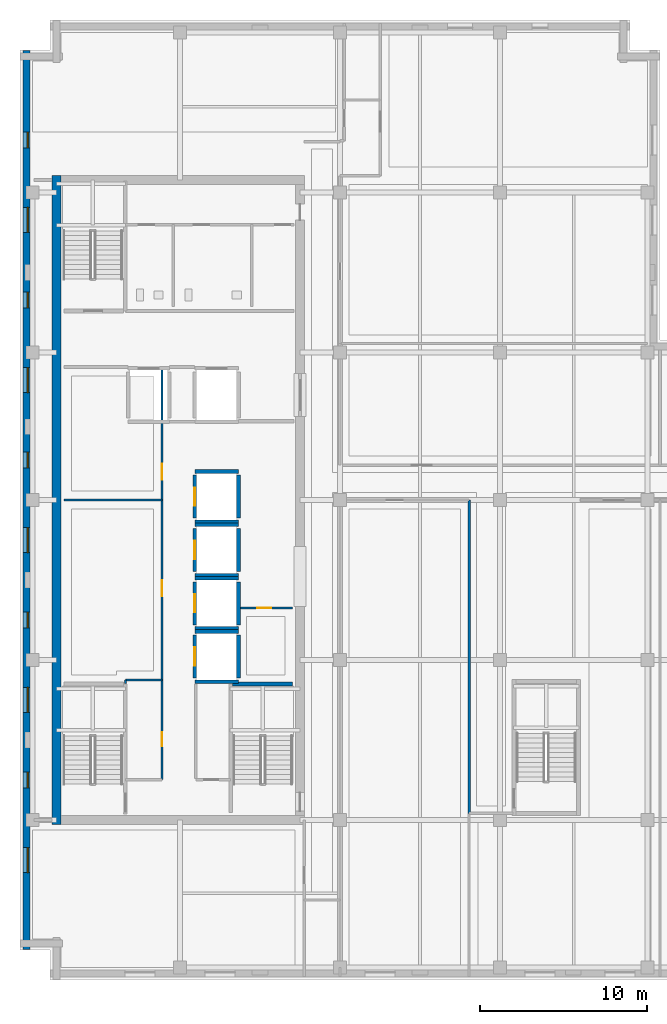
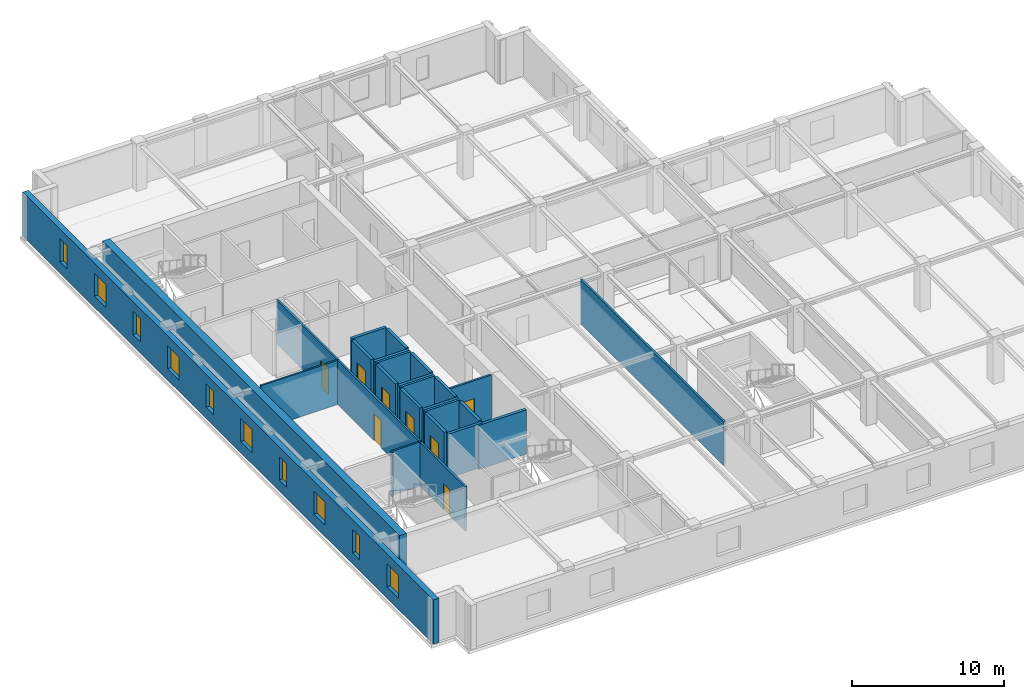
# One storey, part 4 of 12: 25 walls, 10 windows, 8 doors, 18 openings.
"""IFC4 building model written with IfcOpenShell, lengths in metres."""

import ifcopenshell
import ifcopenshell.guid

model = None  # the IFC model being written
_history = None  # IfcOwnerHistory: only IFC2X3 demands one
_inside = {}  # id of a spatial element -> (the spatial element, [elements in it])
_under = {}  # id of a project, library or spatial element -> (it, [spatial elements below it])
_declared = {}  # id of a project -> (the project, [libraries it declares])
_typed = {}  # id of a type object -> (the type object, [elements of that type])
_made_of = {}  # id of a material, layer set ... -> (it, [elements and type objects made of it])


def new_model(schema):
    """Start an empty IFC model of exactly this schema.

    Asked for "IFC4X3", IfcOpenShell would pick the latest addendum, in which some entities
    have other attributes; the version numbers below select the first issue.
    IFC2X3 requires an IfcOwnerHistory on every rooted entity: one is made here for all.
    """
    global model, _history
    if schema == "IFC4X3":
        model = ifcopenshell.file(schema_version=(4, 3, 0, 0))
    else:
        model = ifcopenshell.file(schema=schema)
    _inside.clear()
    _under.clear()
    _declared.clear()
    _typed.clear()
    _made_of.clear()
    _history = None
    if model.schema == "IFC2X3":
        org = make("IfcOrganization", Name="unknown")
        user = make(
            "IfcPersonAndOrganization",
            ThePerson=make("IfcPerson", FamilyName="unknown"),
            TheOrganization=org,
        )
        app = make(
            "IfcApplication",
            ApplicationDeveloper=org,
            Version="unknown",
            ApplicationFullName="unknown",
            ApplicationIdentifier="unknown",
        )
        _history = make(
            "IfcOwnerHistory",
            OwningUser=user,
            OwningApplication=app,
            ChangeAction="ADDED",
            CreationDate=0,
        )
    return model


def make(cls, **values):
    """One entity of the class cls with the attributes given. An attribute that is None is left unset."""
    return model.create_entity(
        cls, **{name: value for name, value in values.items() if value is not None}
    )


def rooted(cls, **values):
    """An entity with a GlobalId (a new one), such as an element, a storey or a relation."""
    return make(cls, GlobalId=ifcopenshell.guid.new(), OwnerHistory=_history, **values)


def si_unit(unit_type, name, prefix=None):
    """IfcSIUnit, for example si_unit("LENGTHUNIT", "METRE", prefix="MILLI")."""
    return make("IfcSIUnit", UnitType=unit_type, Prefix=prefix, Name=name)


def assignment(units):
    """IfcUnitAssignment: the units of a project."""
    return None if units is None else make("IfcUnitAssignment", Units=units)


def point(xyz):
    """IfcCartesianPoint."""
    return None if xyz is None else make("IfcCartesianPoint", Coordinates=xyz)


def direction(xyz):
    """IfcDirection."""
    return None if xyz is None else make("IfcDirection", DirectionRatios=xyz)


def frame(location, z_axis=None, x_axis=None):
    """IfcAxis2Placement3D, a coordinate frame: its origin and axes. An axis left out is left unset."""
    return make(
        "IfcAxis2Placement3D",
        Location=point(location),
        Axis=direction(z_axis),
        RefDirection=direction(x_axis),
    )


def frame_2d(location, x_axis=None):
    """IfcAxis2Placement2D, a coordinate frame in the plane: its origin and x axis."""
    return make(
        "IfcAxis2Placement2D", Location=point(location), RefDirection=direction(x_axis)
    )


def origin():
    """The frame at (0, 0, 0) with its axes left unset."""
    return frame((0.0, 0.0, 0.0))


def place(relative_to, where):
    """IfcLocalPlacement: puts the frame where relative to a parent placement (None: the world)."""
    return make(
        "IfcLocalPlacement", PlacementRelTo=relative_to, RelativePlacement=where
    )


def context(
    kind, dimensions, precision=None, world=None, true_north=None, identifier=None
):
    """IfcGeometricRepresentationContext, for example the 3D "Model" context."""
    return make(
        "IfcGeometricRepresentationContext",
        ContextIdentifier=identifier,
        ContextType=kind,
        CoordinateSpaceDimension=dimensions,
        Precision=precision,
        WorldCoordinateSystem=world,
        TrueNorth=true_north,
    )


def subcontext(parent, identifier, kind, view, scale=None):
    """IfcGeometricRepresentationSubContext, for example "Body" below "Model"."""
    return make(
        "IfcGeometricRepresentationSubContext",
        ContextIdentifier=identifier,
        ContextType=kind,
        ParentContext=parent,
        TargetScale=scale,
        TargetView=view,
    )


def project(units=None, contexts=None):
    """IfcProject with its units and contexts."""
    return rooted(
        "IfcProject",
        Name="project",
        RepresentationContexts=contexts,
        UnitsInContext=assignment(units),
    )


def spatial(cls, under=None, at=None, **own):
    """A site, building, storey or space (cls), placed at a placement, below another one or the project."""
    s = rooted(cls, ObjectPlacement=at, **own)
    if under is not None:
        _under.setdefault(under.id(), (under, []))[1].append(s)
    return s


def profile(cls, at=None, kind="AREA", **sizes):
    """A parametric profile (cls). Its sizes go by their IFC names, for example OverallWidth=200.0."""
    return make(cls, ProfileType=kind, Position=at, **sizes)


def rectangle(**sizes):
    """IfcRectangleProfileDef."""
    return profile("IfcRectangleProfileDef", **sizes)


def extrude(swept, where, along, depth):
    """IfcExtrudedAreaSolid: the profile swept, set in the frame where, extruded along a direction by depth."""
    return make(
        "IfcExtrudedAreaSolid",
        SweptArea=swept,
        Position=where,
        ExtrudedDirection=direction(along),
        Depth=depth,
    )


def shape(context_of_items, identifier, shape_type, items):
    """IfcShapeRepresentation: the items that make up one representation, for example the "Body"."""
    return make(
        "IfcShapeRepresentation",
        ContextOfItems=context_of_items,
        RepresentationIdentifier=identifier,
        RepresentationType=shape_type,
        Items=items,
    )


def material(Name=None, Category=None):
    """IfcMaterial."""
    return make("IfcMaterial", Name=Name, Category=Category)


def layer(
    of_material, thickness, ventilated=None, Name=None, Category=None, Priority=None
):
    """IfcMaterialLayer: one layer of a wall or slab, of a material (None: an air gap)."""
    return make(
        "IfcMaterialLayer",
        Material=of_material,
        LayerThickness=thickness,
        IsVentilated=ventilated,
        Name=Name,
        Category=Category,
        Priority=Priority,
    )


def layer_set(layers, Name=None):
    """IfcMaterialLayerSet."""
    return make("IfcMaterialLayerSet", MaterialLayers=layers, LayerSetName=Name)


def made_of(thing, what):
    """Note that an element or type object is made of a material, layer set ...; save() writes the relation."""
    if what is not None:
        _made_of.setdefault(what.id(), (what, []))[1].append(thing)
    return thing


def type_object(cls, material=None, **own):
    """A type object (cls), such as IfcWallType, which elements share."""
    return made_of(rooted(cls, **own), material)


def element(
    cls,
    number,
    at=None,
    inside=None,
    cuts=None,
    type_object=None,
    material=None,
    context=None,
    identifier="Body",
    shape_type=None,
    held_by="IfcProductDefinitionShape",
    body=None,
    shapes=None,
    **own,
):
    """One element of the class cls, such as IfcWall. Its Tag is "e" and its number.

    at: its placement. inside: the storey or other place that contains it. cuts: it is an
    opening in that element (IfcRelVoidsElement). A single representation is given by context,
    identifier, shape_type and body (its items); several are given by shapes. held_by: the class
    of the entity that holds the representations. save() writes the other relations.
    """
    e = rooted(cls, Tag="e%d" % number, ObjectPlacement=at, **own)
    if body is not None:
        shapes = [shape(context, identifier, shape_type, body)]
    if shapes is not None:
        e.Representation = make(held_by, Representations=shapes)
    if inside is not None:
        _inside.setdefault(inside.id(), (inside, []))[1].append(e)
    if cuts is not None:
        rooted(
            "IfcRelVoidsElement", RelatingBuildingElement=cuts, RelatedOpeningElement=e
        )
    if type_object is not None:
        _typed.setdefault(type_object.id(), (type_object, []))[1].append(e)
    return made_of(e, material)


def fill(opening, filler):
    """IfcRelFillsElement: the door or window that sits in an opening."""
    return rooted(
        "IfcRelFillsElement",
        RelatingOpeningElement=opening,
        RelatedBuildingElement=filler,
    )


def aggregate(whole, parts):
    """IfcRelAggregates: a whole, such as a stair, and the parts it consists of."""
    return rooted("IfcRelAggregates", RelatingObject=whole, RelatedObjects=parts)


def save(model, path):
    """Write the relations noted so far, then the file.

    IfcRelAggregates (storeys below a building ...), IfcRelContainedInSpatialStructure (elements
    in a storey), IfcRelDefinesByType, IfcRelAssociatesMaterial and IfcRelDeclares: one each for
    every whole, place, type object, material and project.
    """
    for whole, parts in _under.values():
        aggregate(whole, parts)
    for where, things in _inside.values():
        rooted(
            "IfcRelContainedInSpatialStructure",
            RelatedElements=things,
            RelatingStructure=where,
        )
    for kind, things in _typed.values():
        rooted("IfcRelDefinesByType", RelatedObjects=things, RelatingType=kind)
    for what, things in _made_of.values():
        rooted("IfcRelAssociatesMaterial", RelatedObjects=things, RelatingMaterial=what)
    for by, libraries in _declared.values():
        rooted("IfcRelDeclares", RelatingContext=by, RelatedDefinitions=libraries)
    model.write(path)


model = new_model("IFC4")

# Units and contexts
model_context = context("Model", 3, precision=1e-05, world=origin(), true_north=direction((0.0, 1.0)))
body_context = subcontext(model_context, "Body", "Model", "MODEL_VIEW")
ifc_project = project(units=[si_unit("LENGTHUNIT", "METRE"), si_unit("AREAUNIT", "SQUARE_METRE"), si_unit("VOLUMEUNIT", "CUBIC_METRE"), si_unit("PLANEANGLEUNIT", "RADIAN"), si_unit("MASSUNIT", "GRAM", prefix="KILO")], contexts=[model_context])

# Site, building, storey
site_placement = place(None, origin())
site = spatial("IfcSite", under=ifc_project, at=site_placement, CompositionType="ELEMENT")
building_placement = place(site_placement, origin())
building = spatial("IfcBuilding", under=site, at=building_placement, Name="Norrvale University Quadrangle", CompositionType="ELEMENT")
storey_placement = place(building_placement, frame((0.0, 0.0, 240.800048828125)))
storey = spatial("IfcBuildingStorey", under=building, at=storey_placement, Name="L61", CompositionType="ELEMENT", Elevation=240.800048828125)

# Wall, openings, windows
ifc_material_1 = material(Name="Buff Norman Clay Brick Masonry", Category="masonry")
ifc_layer_1 = layer(ifc_material_1, 0.419921875, Name="Buff Norman Clay Brick Masonry")
ifc_layer_set_1 = layer_set([ifc_layer_1], Name="Buff Norman Clay Brick Masonry")
wall_type_1 = type_object("IfcWallType", Name="Wall Buff Brick 420", PredefinedType="SOLIDWALL", material=ifc_layer_set_1)
wall_1_placement = place(storey_placement, frame((0.389892578125, 55.760009765625, 0.0), z_axis=(0.0, 0.0, 1.0), x_axis=(0.0, -1.0, 0.0)))
wall_1 = element("IfcWall", 1, at=wall_1_placement, inside=storey, type_object=wall_type_1, Name="Exterior Brick Facade Wall L61-14.1", PredefinedType="SOLIDWALL", context=body_context, shape_type="SweptSolid", body=[
    extrude(rectangle(XDim=53.919921875, YDim=0.419921875, at=frame_2d((26.9599609375, 0.0))), origin(), (0.0, 0.0, 1.0), 3.5400390625),
])
opening_1_placement = place(wall_1_placement, frame((4.885009765625, 0.0, 0.89990234375)))
opening_1 = element("IfcOpeningElement", 2, at=opening_1_placement, cuts=wall_1, Name="Opening W04", PredefinedType="OPENING", context=body_context, shape_type="SweptSolid", body=[
    extrude(rectangle(XDim=0.949951171875, YDim=1.85009765625, at=frame_2d((0.47509765625, 0.925048828125))), frame((0.0, 0.221923828125, 0.0), z_axis=(0.0, -1.0, 0.0), x_axis=(1.0, 0.0, 0.0)), (0.0, 0.0, 1.0), 0.44384765625),
])
opening_2_placement = place(wall_1_placement, frame((9.409912109375, 0.0, 0.89990234375)))
opening_2 = element("IfcOpeningElement", 3, at=opening_2_placement, cuts=wall_1, Name="Opening W03", PredefinedType="OPENING", context=body_context, shape_type="SweptSolid", body=[
    extrude(rectangle(XDim=1.5, YDim=1.85009765625, at=frame_2d((0.75, 0.925048828125))), frame((0.0, 0.221923828125, 0.0), z_axis=(0.0, -1.0, 0.0), x_axis=(1.0, 0.0, 0.0)), (0.0, 0.0, 1.0), 0.44384765625),
])
opening_3_placement = place(wall_1_placement, frame((14.485107421875, 0.0, 0.89990234375)))
opening_3 = element("IfcOpeningElement", 4, at=opening_3_placement, cuts=wall_1, Name="Opening W04", PredefinedType="OPENING", context=body_context, shape_type="SweptSolid", body=[
    extrude(rectangle(XDim=0.949951171875, YDim=1.85009765625, at=frame_2d((0.47509765625, 0.925048828125))), frame((0.0, 0.221923828125, 0.0), z_axis=(0.0, -1.0, 0.0), x_axis=(1.0, 0.0, 0.0)), (0.0, 0.0, 1.0), 0.44384765625),
])
opening_4_placement = place(wall_1_placement, frame((19.010009765625, 0.0, 0.89990234375)))
opening_4 = element("IfcOpeningElement", 5, at=opening_4_placement, cuts=wall_1, Name="Opening W03", PredefinedType="OPENING", context=body_context, shape_type="SweptSolid", body=[
    extrude(rectangle(XDim=1.5, YDim=1.85009765625, at=frame_2d((0.75, 0.925048828125))), frame((0.0, 0.221923828125, 0.0), z_axis=(0.0, -1.0, 0.0), x_axis=(1.0, 0.0, 0.0)), (0.0, 0.0, 1.0), 0.44384765625),
])
opening_5_placement = place(wall_1_placement, frame((24.0849609375, 0.0, 0.89990234375)))
opening_5 = element("IfcOpeningElement", 6, at=opening_5_placement, cuts=wall_1, Name="Opening W04", PredefinedType="OPENING", context=body_context, shape_type="SweptSolid", body=[
    extrude(rectangle(XDim=0.949951171875, YDim=1.85009765625, at=frame_2d((0.47509765625, 0.925048828125))), frame((0.0, 0.221923828125, 0.0), z_axis=(0.0, -1.0, 0.0), x_axis=(1.0, 0.0, 0.0)), (0.0, 0.0, 1.0), 0.44384765625),
])
opening_6_placement = place(wall_1_placement, frame((28.610107421875, 0.0, 0.89990234375)))
opening_6 = element("IfcOpeningElement", 7, at=opening_6_placement, cuts=wall_1, Name="Opening W03", PredefinedType="OPENING", context=body_context, shape_type="SweptSolid", body=[
    extrude(rectangle(XDim=1.5, YDim=1.85009765625, at=frame_2d((0.75, 0.925048828125))), frame((0.0, 0.221923828125, 0.0), z_axis=(0.0, -1.0, 0.0), x_axis=(1.0, 0.0, 0.0)), (0.0, 0.0, 1.0), 0.44384765625),
])
opening_7_placement = place(wall_1_placement, frame((33.68505859375, 0.0, 0.89990234375)))
opening_7 = element("IfcOpeningElement", 8, at=opening_7_placement, cuts=wall_1, Name="Opening W04", PredefinedType="OPENING", context=body_context, shape_type="SweptSolid", body=[
    extrude(rectangle(XDim=0.949951171875, YDim=1.85009765625, at=frame_2d((0.47509765625, 0.925048828125))), frame((0.0, 0.221923828125, 0.0), z_axis=(0.0, -1.0, 0.0), x_axis=(1.0, 0.0, 0.0)), (0.0, 0.0, 1.0), 0.44384765625),
])
opening_8_placement = place(wall_1_placement, frame((38.2099609375, 0.0, 0.89990234375)))
opening_8 = element("IfcOpeningElement", 9, at=opening_8_placement, cuts=wall_1, Name="Opening W03", PredefinedType="OPENING", context=body_context, shape_type="SweptSolid", body=[
    extrude(rectangle(XDim=1.5, YDim=1.85009765625, at=frame_2d((0.75, 0.925048828125))), frame((0.0, 0.221923828125, 0.0), z_axis=(0.0, -1.0, 0.0), x_axis=(1.0, 0.0, 0.0)), (0.0, 0.0, 1.0), 0.44384765625),
])
opening_9_placement = place(wall_1_placement, frame((43.284912109375, 0.0, 0.89990234375)))
opening_9 = element("IfcOpeningElement", 10, at=opening_9_placement, cuts=wall_1, Name="Opening W04", PredefinedType="OPENING", context=body_context, shape_type="SweptSolid", body=[
    extrude(rectangle(XDim=0.949951171875, YDim=1.85009765625, at=frame_2d((0.47509765625, 0.925048828125))), frame((0.0, 0.221923828125, 0.0), z_axis=(0.0, -1.0, 0.0), x_axis=(1.0, 0.0, 0.0)), (0.0, 0.0, 1.0), 0.44384765625),
])
opening_10_placement = place(wall_1_placement, frame((47.81005859375, 0.0, 0.89990234375)))
opening_10 = element("IfcOpeningElement", 11, at=opening_10_placement, cuts=wall_1, Name="Opening W03", PredefinedType="OPENING", context=body_context, shape_type="SweptSolid", body=[
    extrude(rectangle(XDim=1.5, YDim=1.85009765625, at=frame_2d((0.75, 0.925048828125))), frame((0.0, 0.221923828125, 0.0), z_axis=(0.0, -1.0, 0.0), x_axis=(1.0, 0.0, 0.0)), (0.0, 0.0, 1.0), 0.44384765625),
])
ifc_material_2 = material(Name="Triple Low-E Argon Glazing", Category="glass")
window_type_1 = type_object("IfcWindowType", Name="Window Narrow Pier 950x2300", PartitioningType="SINGLE_PANEL", PredefinedType="WINDOW", material=ifc_material_2)
window_1_placement = place(opening_1_placement, origin())
window_1 = element("IfcWindow", 12, at=window_1_placement, inside=storey, type_object=window_type_1, Name="Window Narrow Pier 950x2300 WIN-L61-E14-1-01", OverallHeight=1.85009765625, OverallWidth=0.949951171875, PartitioningType="SINGLE_PANEL", PredefinedType="WINDOW", context=body_context, shape_type="SweptSolid", body=[
    extrude(rectangle(XDim=0.949951171875, YDim=1.85009765625, at=frame_2d((0.47509765625, 0.925048828125))), frame((0.0, 0.110107421875, 0.0), z_axis=(0.0, -1.0, 0.0), x_axis=(1.0, 0.0, 0.0)), (0.0, 0.0, 1.0), 0.06005859375),
])
fill(opening_1, window_1)
window_2_placement = place(opening_3_placement, origin())
window_2 = element("IfcWindow", 13, at=window_2_placement, inside=storey, type_object=window_type_1, Name="Window Narrow Pier 950x2300 WIN-L61-E14-1-03", OverallHeight=1.85009765625, OverallWidth=0.949951171875, PartitioningType="SINGLE_PANEL", PredefinedType="WINDOW", context=body_context, shape_type="SweptSolid", body=[
    extrude(rectangle(XDim=0.949951171875, YDim=1.85009765625, at=frame_2d((0.47509765625, 0.925048828125))), frame((0.0, 0.110107421875, 0.0), z_axis=(0.0, -1.0, 0.0), x_axis=(1.0, 0.0, 0.0)), (0.0, 0.0, 1.0), 0.06005859375),
])
fill(opening_3, window_2)
window_3_placement = place(opening_5_placement, origin())
window_3 = element("IfcWindow", 14, at=window_3_placement, inside=storey, type_object=window_type_1, Name="Window Narrow Pier 950x2300 WIN-L61-E14-1-05", OverallHeight=1.85009765625, OverallWidth=0.949951171875, PartitioningType="SINGLE_PANEL", PredefinedType="WINDOW", context=body_context, shape_type="SweptSolid", body=[
    extrude(rectangle(XDim=0.949951171875, YDim=1.85009765625, at=frame_2d((0.47509765625, 0.925048828125))), frame((0.0, 0.110107421875, 0.0), z_axis=(0.0, -1.0, 0.0), x_axis=(1.0, 0.0, 0.0)), (0.0, 0.0, 1.0), 0.06005859375),
])
fill(opening_5, window_3)
window_4_placement = place(opening_7_placement, origin())
window_4 = element("IfcWindow", 15, at=window_4_placement, inside=storey, type_object=window_type_1, Name="Window Narrow Pier 950x2300 WIN-L61-E14-1-07", OverallHeight=1.85009765625, OverallWidth=0.949951171875, PartitioningType="SINGLE_PANEL", PredefinedType="WINDOW", context=body_context, shape_type="SweptSolid", body=[
    extrude(rectangle(XDim=0.949951171875, YDim=1.85009765625, at=frame_2d((0.47509765625, 0.925048828125))), frame((0.0, 0.110107421875, 0.0), z_axis=(0.0, -1.0, 0.0), x_axis=(1.0, 0.0, 0.0)), (0.0, 0.0, 1.0), 0.06005859375),
])
fill(opening_7, window_4)
window_5_placement = place(opening_9_placement, origin())
window_5 = element("IfcWindow", 16, at=window_5_placement, inside=storey, type_object=window_type_1, Name="Window Narrow Pier 950x2300 WIN-L61-E14-1-09", OverallHeight=1.85009765625, OverallWidth=0.949951171875, PartitioningType="SINGLE_PANEL", PredefinedType="WINDOW", context=body_context, shape_type="SweptSolid", body=[
    extrude(rectangle(XDim=0.949951171875, YDim=1.85009765625, at=frame_2d((0.47509765625, 0.925048828125))), frame((0.0, 0.110107421875, 0.0), z_axis=(0.0, -1.0, 0.0), x_axis=(1.0, 0.0, 0.0)), (0.0, 0.0, 1.0), 0.06005859375),
])
fill(opening_9, window_5)
window_type_2 = type_object("IfcWindowType", Name="Window Studio 1500x2300", PartitioningType="DOUBLE_PANEL_VERTICAL", PredefinedType="WINDOW", material=ifc_material_2)
window_6_placement = place(opening_2_placement, origin())
window_6 = element("IfcWindow", 17, at=window_6_placement, inside=storey, type_object=window_type_2, Name="Window Studio 1500x2300 WIN-L61-E14-1-02", OverallHeight=1.85009765625, OverallWidth=1.5, PartitioningType="DOUBLE_PANEL_VERTICAL", PredefinedType="WINDOW", context=body_context, shape_type="SweptSolid", body=[
    extrude(rectangle(XDim=1.5, YDim=1.85009765625, at=frame_2d((0.75, 0.925048828125))), frame((0.0, 0.110107421875, 0.0), z_axis=(0.0, -1.0, 0.0), x_axis=(1.0, 0.0, 0.0)), (0.0, 0.0, 1.0), 0.06005859375),
])
fill(opening_2, window_6)
window_7_placement = place(opening_4_placement, origin())
window_7 = element("IfcWindow", 18, at=window_7_placement, inside=storey, type_object=window_type_2, Name="Window Studio 1500x2300 WIN-L61-E14-1-04", OverallHeight=1.85009765625, OverallWidth=1.5, PartitioningType="DOUBLE_PANEL_VERTICAL", PredefinedType="WINDOW", context=body_context, shape_type="SweptSolid", body=[
    extrude(rectangle(XDim=1.5, YDim=1.85009765625, at=frame_2d((0.75, 0.925048828125))), frame((0.0, 0.110107421875, 0.0), z_axis=(0.0, -1.0, 0.0), x_axis=(1.0, 0.0, 0.0)), (0.0, 0.0, 1.0), 0.06005859375),
])
fill(opening_4, window_7)
window_8_placement = place(opening_6_placement, origin())
window_8 = element("IfcWindow", 19, at=window_8_placement, inside=storey, type_object=window_type_2, Name="Window Studio 1500x2300 WIN-L61-E14-1-06", OverallHeight=1.85009765625, OverallWidth=1.5, PartitioningType="DOUBLE_PANEL_VERTICAL", PredefinedType="WINDOW", context=body_context, shape_type="SweptSolid", body=[
    extrude(rectangle(XDim=1.5, YDim=1.85009765625, at=frame_2d((0.75, 0.925048828125))), frame((0.0, 0.110107421875, 0.0), z_axis=(0.0, -1.0, 0.0), x_axis=(1.0, 0.0, 0.0)), (0.0, 0.0, 1.0), 0.06005859375),
])
fill(opening_6, window_8)
window_9_placement = place(opening_8_placement, origin())
window_9 = element("IfcWindow", 20, at=window_9_placement, inside=storey, type_object=window_type_2, Name="Window Studio 1500x2300 WIN-L61-E14-1-08", OverallHeight=1.85009765625, OverallWidth=1.5, PartitioningType="DOUBLE_PANEL_VERTICAL", PredefinedType="WINDOW", context=body_context, shape_type="SweptSolid", body=[
    extrude(rectangle(XDim=1.5, YDim=1.85009765625, at=frame_2d((0.75, 0.925048828125))), frame((0.0, 0.110107421875, 0.0), z_axis=(0.0, -1.0, 0.0), x_axis=(1.0, 0.0, 0.0)), (0.0, 0.0, 1.0), 0.06005859375),
])
fill(opening_8, window_9)
window_10_placement = place(opening_10_placement, origin())
window_10 = element("IfcWindow", 21, at=window_10_placement, inside=storey, type_object=window_type_2, Name="Window Studio 1500x2300 WIN-L61-E14-1-10", OverallHeight=1.85009765625, OverallWidth=1.5, PartitioningType="DOUBLE_PANEL_VERTICAL", PredefinedType="WINDOW", context=body_context, shape_type="SweptSolid", body=[
    extrude(rectangle(XDim=1.5, YDim=1.85009765625, at=frame_2d((0.75, 0.925048828125))), frame((0.0, 0.110107421875, 0.0), z_axis=(0.0, -1.0, 0.0), x_axis=(1.0, 0.0, 0.0)), (0.0, 0.0, 1.0), 0.06005859375),
])
fill(opening_10, window_10)

# Walls
ifc_material_3 = material(Name="Concrete C60/75", Category="concrete")
ifc_layer_2 = layer(ifc_material_3, 0.550048828125, Name="Concrete C60/75")
ifc_layer_set_2 = layer_set([ifc_layer_2], Name="Concrete C60/75")
wall_type_2 = type_object("IfcWallType", Name="Wall Core 550", PredefinedType="SHEAR", material=ifc_layer_set_2)
wall_2_placement = place(storey_placement, frame((2.199951171875, 9.324951171875, 0.0), z_axis=(0.0, 0.0, 1.0), x_axis=(0.0, 1.0, 0.0)))
element("IfcWall", 22, at=wall_2_placement, inside=storey, type_object=wall_type_2, Name="Tower Core Shear Wall L61-W", PredefinedType="SHEAR", context=body_context, shape_type="SweptSolid", body=[
    extrude(rectangle(XDim=38.949951171875, YDim=0.550048828125, at=frame_2d((19.47509765625, 0.0))), origin(), (0.0, 0.0, 1.0), 3.5400390625),
])
ifc_material_4 = material(Name="Standard Academic Gypsum Partition")
ifc_layer_3 = layer(ifc_material_4, 0.125, Name="Standard Academic Gypsum Partition")
ifc_layer_set_3 = layer_set([ifc_layer_3], Name="Standard Academic Gypsum Partition")
wall_type_3 = type_object("IfcWallType", Name="Wall Gypsum Academic 125", PredefinedType="PARTITIONING", material=ifc_layer_set_3)
wall_3_placement = place(storey_placement, frame((6.320068359375, 17.800048828125, 0.0), z_axis=(0.0, 0.0, 1.0), x_axis=(0.0, 1.0, 0.0)))
element("IfcWall", 23, at=wall_3_placement, inside=storey, type_object=wall_type_3, Name="Interior Partition WL-L61-REC-L1", PredefinedType="PARTITIONING", context=body_context, shape_type="SweptSolid", body=[
    extrude(rectangle(XDim=0.199951171875, YDim=0.125, at=frame_2d((0.10009765625, 0.0))), origin(), (0.0, 0.0, 1.0), 3.5400390625),
])
wall_4_placement = place(storey_placement, frame((6.320068359375, 18.0, 0.0), z_axis=(0.0, 0.0, 1.0), x_axis=(1.0, 0.0, 0.0)))
element("IfcWall", 24, at=wall_4_placement, inside=storey, type_object=wall_type_3, Name="Interior Partition WL-L61-REC-L2", PredefinedType="PARTITIONING", context=body_context, shape_type="SweptSolid", body=[
    extrude(rectangle(XDim=2.199951171875, YDim=0.125, at=frame_2d((1.10009765625, 0.0))), origin(), (0.0, 0.0, 1.0), 3.5400390625),
])
wall_5_placement = place(storey_placement, frame((2.64990234375, 28.800048828125, 0.0), z_axis=(0.0, 0.0, 1.0), x_axis=(1.0, 0.0, 0.0)))
element("IfcWall", 25, at=wall_5_placement, inside=storey, type_object=wall_type_3, Name="Interior Partition WL-L61-REC-M2", PredefinedType="PARTITIONING", context=body_context, shape_type="SweptSolid", body=[
    extrude(rectangle(XDim=5.8701171875, YDim=0.125, at=frame_2d((2.93505859375, 0.0))), origin(), (0.0, 0.0, 1.0), 3.5400390625),
])

# Wall, opening, door
ifc_material_5 = material(Name="Fire-Rated Gypsum Stud Partition")
ifc_layer_4 = layer(ifc_material_5, 0.14990234375, Name="Fire-Rated Gypsum Stud Partition")
ifc_layer_set_4 = layer_set([ifc_layer_4], Name="Fire-Rated Gypsum Stud Partition")
wall_type_4 = type_object("IfcWallType", Name="Wall Gypsum Corridor 150", PredefinedType="PARTITIONING", material=ifc_layer_set_4)
wall_6_placement = place(storey_placement, frame((13.22509765625, 22.320068359375, 0.0), z_axis=(0.0, 0.0, 1.0), x_axis=(1.0, 0.0, 0.0)))
wall_6 = element("IfcWall", 26, at=wall_6_placement, inside=storey, type_object=wall_type_4, Name="Interior Partition WL-L61-JAN-N", PredefinedType="PARTITIONING", context=body_context, shape_type="SweptSolid", body=[
    extrude(rectangle(XDim=3.119873046875, YDim=0.14990234375, at=frame_2d((1.56005859375, 0.0))), origin(), (0.0, 0.0, 1.0), 3.5400390625),
])
opening_11_placement = place(wall_6_placement, frame((1.0, 0.0, 0.0)))
opening_11 = element("IfcOpeningElement", 27, at=opening_11_placement, cuts=wall_6, Name="Opening D10", PredefinedType="OPENING", context=body_context, shape_type="SweptSolid", body=[
    extrude(rectangle(XDim=0.85009765625, YDim=2.10009765625, at=frame_2d((0.425048828125, 1.050048828125))), frame((0.0, 0.0869140625, 0.0), z_axis=(0.0, -1.0, 0.0), x_axis=(1.0, 0.0, 0.0)), (0.0, 0.0, 1.0), 0.173828125),
])
ifc_material_6 = material(Name="Hollow Steel 350W Riser Fire Door", Category="steel")
door_type_1 = type_object("IfcDoorType", Name="Door Riser 850x2100", OperationType="NOTDEFINED", PredefinedType="DOOR", material=ifc_material_6)
door_1_placement = place(opening_11_placement, origin())
door_1 = element("IfcDoor", 28, at=door_1_placement, inside=storey, type_object=door_type_1, Name="Door Riser 850x2100 DR-L61-JAN", OperationType="SINGLE_SWING_LEFT", OverallHeight=2.10009765625, OverallWidth=0.85009765625, PredefinedType="DOOR", context=body_context, shape_type="SweptSolid", body=[
    extrude(rectangle(XDim=0.85009765625, YDim=2.10009765625, at=frame_2d((0.425048828125, 1.050048828125))), frame((0.0, 0.02490234375, 0.0), z_axis=(0.0, -1.0, 0.0), x_axis=(1.0, 0.0, 0.0)), (0.0, 0.0, 1.0), 0.050048828125),
])
fill(opening_11, door_1)

# Wall, openings, doors
wall_7_placement = place(storey_placement, frame((8.52001953125, 12.02001953125, 0.0), z_axis=(0.0, 0.0, 1.0), x_axis=(0.0, 1.0, 0.0)))
wall_7 = element("IfcWall", 29, at=wall_7_placement, inside=storey, type_object=wall_type_4, Name="Interior Partition WL-L61-REC-E", PredefinedType="PARTITIONING", context=body_context, shape_type="SweptSolid", body=[
    extrude(rectangle(XDim=24.760009765625, YDim=0.14990234375, at=frame_2d((12.3798828125, 0.0))), origin(), (0.0, 0.0, 1.0), 3.5400390625),
])
opening_12_placement = place(wall_7_placement, frame((2.0, 0.0, 0.0)))
opening_12 = element("IfcOpeningElement", 30, at=opening_12_placement, cuts=wall_7, Name="Opening D10", PredefinedType="OPENING", context=body_context, shape_type="SweptSolid", body=[
    extrude(rectangle(XDim=0.85009765625, YDim=2.10009765625, at=frame_2d((0.425048828125, 1.050048828125))), frame((0.0, 0.0869140625, 0.0), z_axis=(0.0, -1.0, 0.0), x_axis=(1.0, 0.0, 0.0)), (0.0, 0.0, 1.0), 0.173828125),
])
opening_13_placement = place(wall_7_placement, frame((11.0, 0.0, 0.0)))
opening_13 = element("IfcOpeningElement", 31, at=opening_13_placement, cuts=wall_7, Name="Opening D07", PredefinedType="OPENING", context=body_context, shape_type="SweptSolid", body=[
    extrude(rectangle(XDim=0.949951171875, YDim=2.14990234375, at=frame_2d((0.47509765625, 1.074951171875))), frame((0.0, 0.0869140625, 0.0), z_axis=(0.0, -1.0, 0.0), x_axis=(1.0, 0.0, 0.0)), (0.0, 0.0, 1.0), 0.173828125),
])
opening_14_placement = place(wall_7_placement, frame((18.0, 0.0, 0.0)))
opening_14 = element("IfcOpeningElement", 32, at=opening_14_placement, cuts=wall_7, Name="Opening D07", PredefinedType="OPENING", context=body_context, shape_type="SweptSolid", body=[
    extrude(rectangle(XDim=0.949951171875, YDim=2.14990234375, at=frame_2d((0.47509765625, 1.074951171875))), frame((0.0, 0.0869140625, 0.0), z_axis=(0.0, -1.0, 0.0), x_axis=(1.0, 0.0, 0.0)), (0.0, 0.0, 1.0), 0.173828125),
])
ifc_material_7 = material(Name="Solid-Core Maple Door", Category="wood")
door_type_2 = type_object("IfcDoorType", Name="Door Office 950x2150", OperationType="NOTDEFINED", PredefinedType="DOOR", material=ifc_material_7)
door_2_placement = place(opening_13_placement, origin())
door_2 = element("IfcDoor", 33, at=door_2_placement, inside=storey, type_object=door_type_2, Name="Door Office 950x2150 DR-L61-REC2", OperationType="SINGLE_SWING_RIGHT", OverallHeight=2.14990234375, OverallWidth=0.949951171875, PredefinedType="DOOR", context=body_context, shape_type="SweptSolid", body=[
    extrude(rectangle(XDim=0.949951171875, YDim=2.14990234375, at=frame_2d((0.47509765625, 1.074951171875))), frame((0.0, 0.02490234375, 0.0), z_axis=(0.0, -1.0, 0.0), x_axis=(1.0, 0.0, 0.0)), (0.0, 0.0, 1.0), 0.050048828125),
])
fill(opening_13, door_2)
door_3_placement = place(opening_14_placement, origin())
door_3 = element("IfcDoor", 34, at=door_3_placement, inside=storey, type_object=door_type_2, Name="Door Office 950x2150 DR-L61-REC3", OperationType="SINGLE_SWING_LEFT", OverallHeight=2.14990234375, OverallWidth=0.949951171875, PredefinedType="DOOR", context=body_context, shape_type="SweptSolid", body=[
    extrude(rectangle(XDim=0.949951171875, YDim=2.14990234375, at=frame_2d((0.47509765625, 1.074951171875))), frame((0.0, 0.02490234375, 0.0), z_axis=(0.0, -1.0, 0.0), x_axis=(1.0, 0.0, 0.0)), (0.0, 0.0, 1.0), 0.050048828125),
])
fill(opening_14, door_3)
door_4_placement = place(opening_12_placement, origin())
door_4 = element("IfcDoor", 35, at=door_4_placement, inside=storey, type_object=door_type_1, Name="Door Riser 850x2100 DR-L61-REC1", OperationType="SINGLE_SWING_LEFT", OverallHeight=2.10009765625, OverallWidth=0.85009765625, PredefinedType="DOOR", context=body_context, shape_type="SweptSolid", body=[
    extrude(rectangle(XDim=0.85009765625, YDim=2.10009765625, at=frame_2d((0.425048828125, 1.050048828125))), frame((0.0, 0.02490234375, 0.0), z_axis=(0.0, -1.0, 0.0), x_axis=(1.0, 0.0, 0.0)), (0.0, 0.0, 1.0), 0.050048828125),
])
fill(opening_12, door_4)

# Walls
wall_8_placement = place(storey_placement, frame((26.949951171875, 10.0, 0.0), z_axis=(0.0, 0.0, 1.0), x_axis=(0.0, 1.0, 0.0)))
element("IfcWall", 36, at=wall_8_placement, inside=storey, type_object=wall_type_4, Name="Interior Partition WL-L61-SEP1B", PredefinedType="PARTITIONING", context=body_context, shape_type="SweptSolid", body=[
    extrude(rectangle(XDim=18.800048828125, YDim=0.14990234375, at=frame_2d((9.39990234375, 0.0))), origin(), (0.0, 0.0, 1.0), 3.5400390625),
])
ifc_material_8 = material(Name="Concrete Blockwork 20 MPa Fire Shaft", Category="masonry")
ifc_layer_5 = layer(ifc_material_8, 0.219970703125, Name="Concrete Blockwork 20 MPa Fire Shaft")
ifc_layer_set_5 = layer_set([ifc_layer_5], Name="Concrete Blockwork 20 MPa Fire Shaft")
wall_type_5 = type_object("IfcWallType", Name="Wall Shaft 220", PredefinedType="SOLIDWALL", material=ifc_layer_set_5)
wall_9_placement = place(storey_placement, frame((12.75, 17.760009765625, 0.0), z_axis=(0.0, 0.0, 1.0), x_axis=(1.0, 0.0, 0.0)))
element("IfcWall", 37, at=wall_9_placement, inside=storey, type_object=wall_type_5, Name="Stair ST-03 North Shaft Wall L61", PredefinedType="SOLIDWALL", context=body_context, shape_type="SweptSolid", body=[
    extrude(rectangle(XDim=3.60009765625, YDim=0.219970703125, at=frame_2d((1.800048828125, 0.0))), origin(), (0.0, 0.0, 1.0), 3.5400390625),
])

# Wall, opening, door
wall_10_placement = place(storey_placement, frame((10.489990234375, 18.110107421875, 0.0), z_axis=(0.0, 0.0, 1.0), x_axis=(0.0, 1.0, 0.0)))
wall_10 = element("IfcWall", 38, at=wall_10_placement, inside=storey, type_object=wall_type_5, Name="Hoistway PL-05 West Wall L61", PredefinedType="SOLIDWALL", context=body_context, shape_type="SweptSolid", body=[
    extrude(rectangle(XDim=2.579833984375, YDim=0.219970703125, at=frame_2d((1.2900390625, 0.0))), origin(), (0.0, 0.0, 1.0), 3.5400390625),
])
opening_15_placement = place(wall_10_placement, frame((0.739990234375, 0.0, 0.0)))
opening_15 = element("IfcOpeningElement", 39, at=opening_15_placement, cuts=wall_10, Name="Opening LD1", PredefinedType="OPENING", context=body_context, shape_type="SweptSolid", body=[
    extrude(rectangle(XDim=1.10009765625, YDim=2.199951171875, at=frame_2d((0.550048828125, 1.10009765625))), frame((0.0, 0.1220703125, 0.0), z_axis=(0.0, -1.0, 0.0), x_axis=(1.0, 0.0, 0.0)), (0.0, 0.0, 1.0), 0.243896484375),
])
ifc_material_9 = material(Name="Stainless Steel 316L Lift Landing Door", Category="steel")
door_type_3 = type_object("IfcDoorType", Name="Door Lift Landing 1100x2200", OperationType="DOUBLE_DOOR_SLIDING", PredefinedType="DOOR", material=ifc_material_9)
door_5_placement = place(opening_15_placement, origin())
door_5 = element("IfcDoor", 40, at=door_5_placement, inside=storey, type_object=door_type_3, Name="Elevator Landing Door DR-L61-PL-05", OperationType="DOUBLE_DOOR_SLIDING", OverallHeight=2.199951171875, OverallWidth=1.10009765625, PredefinedType="DOOR", context=body_context, shape_type="SweptSolid", body=[
    extrude(rectangle(XDim=1.10009765625, YDim=2.199951171875, at=frame_2d((0.550048828125, 1.10009765625))), frame((0.0, 0.02490234375, 0.0), z_axis=(0.0, -1.0, 0.0), x_axis=(1.0, 0.0, 0.0)), (0.0, 0.0, 1.0), 0.050048828125),
])
fill(opening_15, door_5)

# Walls
wall_11_placement = place(storey_placement, frame((13.110107421875, 18.110107421875, 0.0), z_axis=(0.0, 0.0, 1.0), x_axis=(0.0, 1.0, 0.0)))
element("IfcWall", 41, at=wall_11_placement, inside=storey, type_object=wall_type_5, Name="Hoistway PL-05 East Wall L61", PredefinedType="SOLIDWALL", context=body_context, shape_type="SweptSolid", body=[
    extrude(rectangle(XDim=2.579833984375, YDim=0.219970703125, at=frame_2d((1.2900390625, 0.0))), origin(), (0.0, 0.0, 1.0), 3.5400390625),
])
for number, where, z_axis, x_axis, name in (
    (42, (10.489990234375, 17.889892578125, 0.0), (0.0, 0.0, 1.0), (1.0, 0.0, 0.0), "Hoistway PL-05 South Wall L61"),
    (43, (10.489990234375, 20.909912109375, 0.0), (0.0, 0.0, 1.0), (1.0, 0.0, 0.0), "Hoistway PL-05 North Wall L61"),
):
    element("IfcWall", number, at=place(storey_placement, frame(where, z_axis=z_axis, x_axis=x_axis)), inside=storey, type_object=wall_type_5, Name=name, PredefinedType="SOLIDWALL", context=body_context, shape_type="SweptSolid", body=[
        extrude(rectangle(XDim=2.6201171875, YDim=0.219970703125, at=frame_2d((1.31005859375, 0.0))), origin(), (0.0, 0.0, 1.0), 3.5400390625),
    ])

# Wall, opening, door
wall_12_placement = place(storey_placement, frame((10.489990234375, 21.31005859375, 0.0), z_axis=(0.0, 0.0, 1.0), x_axis=(0.0, 1.0, 0.0)))
wall_12 = element("IfcWall", 44, at=wall_12_placement, inside=storey, type_object=wall_type_5, Name="Hoistway PL-06 West Wall L61", PredefinedType="SOLIDWALL", context=body_context, shape_type="SweptSolid", body=[
    extrude(rectangle(XDim=2.579833984375, YDim=0.219970703125, at=frame_2d((1.2900390625, 0.0))), origin(), (0.0, 0.0, 1.0), 3.5400390625),
])
opening_16_placement = place(wall_12_placement, frame((0.739990234375, 0.0, 0.0)))
opening_16 = element("IfcOpeningElement", 45, at=opening_16_placement, cuts=wall_12, Name="Opening LD1", PredefinedType="OPENING", context=body_context, shape_type="SweptSolid", body=[
    extrude(rectangle(XDim=1.10009765625, YDim=2.199951171875, at=frame_2d((0.550048828125, 1.10009765625))), frame((0.0, 0.1220703125, 0.0), z_axis=(0.0, -1.0, 0.0), x_axis=(1.0, 0.0, 0.0)), (0.0, 0.0, 1.0), 0.243896484375),
])
door_6_placement = place(opening_16_placement, origin())
door_6 = element("IfcDoor", 46, at=door_6_placement, inside=storey, type_object=door_type_3, Name="Elevator Landing Door DR-L61-PL-06", OperationType="DOUBLE_DOOR_SLIDING", OverallHeight=2.199951171875, OverallWidth=1.10009765625, PredefinedType="DOOR", context=body_context, shape_type="SweptSolid", body=[
    extrude(rectangle(XDim=1.10009765625, YDim=2.199951171875, at=frame_2d((0.550048828125, 1.10009765625))), frame((0.0, 0.02490234375, 0.0), z_axis=(0.0, -1.0, 0.0), x_axis=(1.0, 0.0, 0.0)), (0.0, 0.0, 1.0), 0.050048828125),
])
fill(opening_16, door_6)

# Walls
wall_13_placement = place(storey_placement, frame((13.110107421875, 21.31005859375, 0.0), z_axis=(0.0, 0.0, 1.0), x_axis=(0.0, 1.0, 0.0)))
element("IfcWall", 47, at=wall_13_placement, inside=storey, type_object=wall_type_5, Name="Hoistway PL-06 East Wall L61", PredefinedType="SOLIDWALL", context=body_context, shape_type="SweptSolid", body=[
    extrude(rectangle(XDim=2.579833984375, YDim=0.219970703125, at=frame_2d((1.2900390625, 0.0))), origin(), (0.0, 0.0, 1.0), 3.5400390625),
])
for number, where, z_axis, x_axis, name in (
    (48, (10.489990234375, 21.090087890625, 0.0), (0.0, 0.0, 1.0), (1.0, 0.0, 0.0), "Hoistway PL-06 South Wall L61"),
    (49, (10.489990234375, 24.110107421875, 0.0), (0.0, 0.0, 1.0), (1.0, 0.0, 0.0), "Hoistway PL-06 North Wall L61"),
):
    element("IfcWall", number, at=place(storey_placement, frame(where, z_axis=z_axis, x_axis=x_axis)), inside=storey, type_object=wall_type_5, Name=name, PredefinedType="SOLIDWALL", context=body_context, shape_type="SweptSolid", body=[
        extrude(rectangle(XDim=2.6201171875, YDim=0.219970703125, at=frame_2d((1.31005859375, 0.0))), origin(), (0.0, 0.0, 1.0), 3.5400390625),
    ])

# Wall, opening, door
wall_14_placement = place(storey_placement, frame((10.489990234375, 24.510009765625, 0.0), z_axis=(0.0, 0.0, 1.0), x_axis=(0.0, 1.0, 0.0)))
wall_14 = element("IfcWall", 50, at=wall_14_placement, inside=storey, type_object=wall_type_5, Name="Hoistway PL-07 West Wall L61", PredefinedType="SOLIDWALL", context=body_context, shape_type="SweptSolid", body=[
    extrude(rectangle(XDim=2.580078125, YDim=0.219970703125, at=frame_2d((1.2900390625, 0.0))), origin(), (0.0, 0.0, 1.0), 3.5400390625),
])
opening_17_placement = place(wall_14_placement, frame((0.739990234375, 0.0, 0.0)))
opening_17 = element("IfcOpeningElement", 51, at=opening_17_placement, cuts=wall_14, Name="Opening LD1", PredefinedType="OPENING", context=body_context, shape_type="SweptSolid", body=[
    extrude(rectangle(XDim=1.10009765625, YDim=2.199951171875, at=frame_2d((0.550048828125, 1.10009765625))), frame((0.0, 0.1220703125, 0.0), z_axis=(0.0, -1.0, 0.0), x_axis=(1.0, 0.0, 0.0)), (0.0, 0.0, 1.0), 0.243896484375),
])
door_7_placement = place(opening_17_placement, origin())
door_7 = element("IfcDoor", 52, at=door_7_placement, inside=storey, type_object=door_type_3, Name="Elevator Landing Door DR-L61-PL-07", OperationType="DOUBLE_DOOR_SLIDING", OverallHeight=2.199951171875, OverallWidth=1.10009765625, PredefinedType="DOOR", context=body_context, shape_type="SweptSolid", body=[
    extrude(rectangle(XDim=1.10009765625, YDim=2.199951171875, at=frame_2d((0.550048828125, 1.10009765625))), frame((0.0, 0.02490234375, 0.0), z_axis=(0.0, -1.0, 0.0), x_axis=(1.0, 0.0, 0.0)), (0.0, 0.0, 1.0), 0.050048828125),
])
fill(opening_17, door_7)

# Walls
wall_15_placement = place(storey_placement, frame((13.110107421875, 24.510009765625, 0.0), z_axis=(0.0, 0.0, 1.0), x_axis=(0.0, 1.0, 0.0)))
element("IfcWall", 53, at=wall_15_placement, inside=storey, type_object=wall_type_5, Name="Hoistway PL-07 East Wall L61", PredefinedType="SOLIDWALL", context=body_context, shape_type="SweptSolid", body=[
    extrude(rectangle(XDim=2.580078125, YDim=0.219970703125, at=frame_2d((1.2900390625, 0.0))), origin(), (0.0, 0.0, 1.0), 3.5400390625),
])
for number, where, z_axis, x_axis, name in (
    (54, (10.489990234375, 24.2900390625, 0.0), (0.0, 0.0, 1.0), (1.0, 0.0, 0.0), "Hoistway PL-07 South Wall L61"),
    (55, (10.489990234375, 27.31005859375, 0.0), (0.0, 0.0, 1.0), (1.0, 0.0, 0.0), "Hoistway PL-07 North Wall L61"),
):
    element("IfcWall", number, at=place(storey_placement, frame(where, z_axis=z_axis, x_axis=x_axis)), inside=storey, type_object=wall_type_5, Name=name, PredefinedType="SOLIDWALL", context=body_context, shape_type="SweptSolid", body=[
        extrude(rectangle(XDim=2.6201171875, YDim=0.219970703125, at=frame_2d((1.31005859375, 0.0))), origin(), (0.0, 0.0, 1.0), 3.5400390625),
    ])

# Wall, opening, door
wall_16_placement = place(storey_placement, frame((10.489990234375, 27.7099609375, 0.0), z_axis=(0.0, 0.0, 1.0), x_axis=(0.0, 1.0, 0.0)))
wall_16 = element("IfcWall", 56, at=wall_16_placement, inside=storey, type_object=wall_type_5, Name="Hoistway PL-08 West Wall L61", PredefinedType="SOLIDWALL", context=body_context, shape_type="SweptSolid", body=[
    extrude(rectangle(XDim=2.580078125, YDim=0.219970703125, at=frame_2d((1.2900390625, 0.0))), origin(), (0.0, 0.0, 1.0), 3.5400390625),
])
opening_18_placement = place(wall_16_placement, frame((0.739990234375, 0.0, 0.0)))
opening_18 = element("IfcOpeningElement", 57, at=opening_18_placement, cuts=wall_16, Name="Opening LD1", PredefinedType="OPENING", context=body_context, shape_type="SweptSolid", body=[
    extrude(rectangle(XDim=1.10009765625, YDim=2.199951171875, at=frame_2d((0.550048828125, 1.10009765625))), frame((0.0, 0.1220703125, 0.0), z_axis=(0.0, -1.0, 0.0), x_axis=(1.0, 0.0, 0.0)), (0.0, 0.0, 1.0), 0.243896484375),
])
door_8_placement = place(opening_18_placement, origin())
door_8 = element("IfcDoor", 58, at=door_8_placement, inside=storey, type_object=door_type_3, Name="Elevator Landing Door DR-L61-PL-08", OperationType="DOUBLE_DOOR_SLIDING", OverallHeight=2.199951171875, OverallWidth=1.10009765625, PredefinedType="DOOR", context=body_context, shape_type="SweptSolid", body=[
    extrude(rectangle(XDim=1.10009765625, YDim=2.199951171875, at=frame_2d((0.550048828125, 1.10009765625))), frame((0.0, 0.02490234375, 0.0), z_axis=(0.0, -1.0, 0.0), x_axis=(1.0, 0.0, 0.0)), (0.0, 0.0, 1.0), 0.050048828125),
])
fill(opening_18, door_8)

# Walls
wall_17_placement = place(storey_placement, frame((13.110107421875, 27.7099609375, 0.0), z_axis=(0.0, 0.0, 1.0), x_axis=(0.0, 1.0, 0.0)))
element("IfcWall", 59, at=wall_17_placement, inside=storey, type_object=wall_type_5, Name="Hoistway PL-08 East Wall L61", PredefinedType="SOLIDWALL", context=body_context, shape_type="SweptSolid", body=[
    extrude(rectangle(XDim=2.580078125, YDim=0.219970703125, at=frame_2d((1.2900390625, 0.0))), origin(), (0.0, 0.0, 1.0), 3.5400390625),
])
for number, where, z_axis, x_axis, name in (
    (60, (10.489990234375, 27.489990234375, 0.0), (0.0, 0.0, 1.0), (1.0, 0.0, 0.0), "Hoistway PL-08 South Wall L61"),
    (61, (10.489990234375, 30.510009765625, 0.0), (0.0, 0.0, 1.0), (1.0, 0.0, 0.0), "Hoistway PL-08 North Wall L61"),
):
    element("IfcWall", number, at=place(storey_placement, frame(where, z_axis=z_axis, x_axis=x_axis)), inside=storey, type_object=wall_type_5, Name=name, PredefinedType="SOLIDWALL", context=body_context, shape_type="SweptSolid", body=[
        extrude(rectangle(XDim=2.6201171875, YDim=0.219970703125, at=frame_2d((1.31005859375, 0.0))), origin(), (0.0, 0.0, 1.0), 3.5400390625),
    ])

save(model, "model.ifc")
